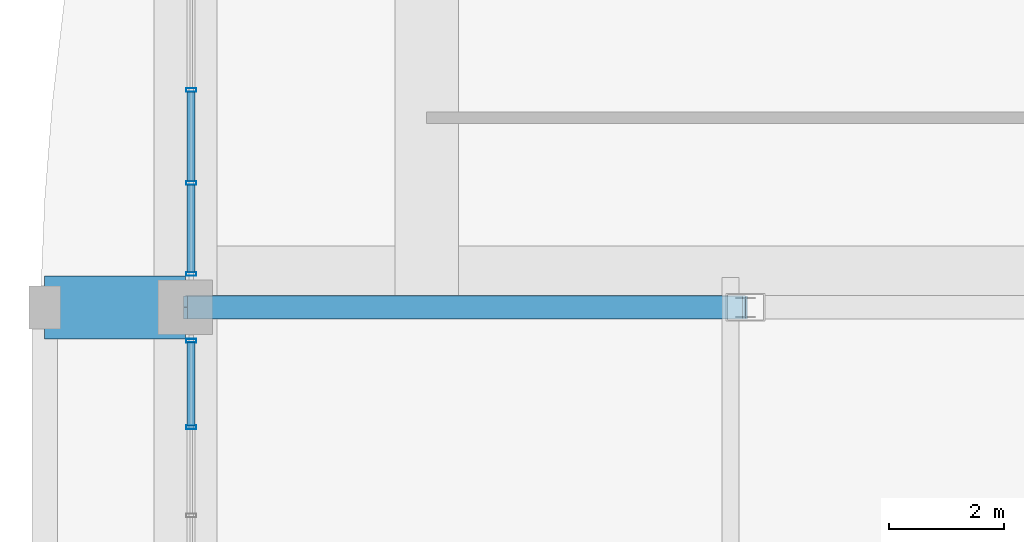
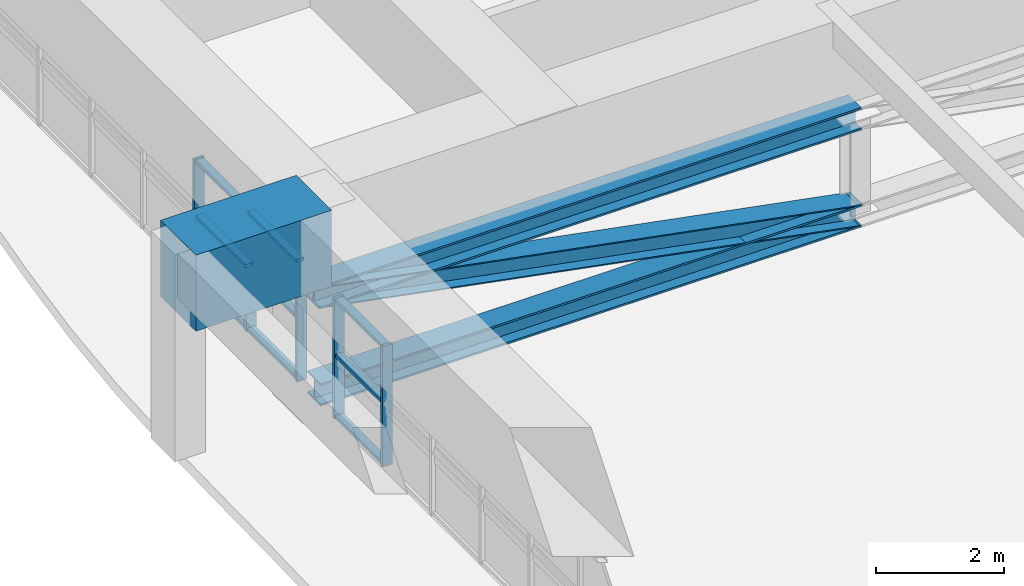
# One storey, part 19 of 35: 17 members, 1 beam, 2 elements without a shape of their own.
"""IFC4 building model written with IfcOpenShell, lengths in metres."""

from ifc_helpers import new_model, si_unit, direction, frame, origin, origin_2d, place, context, subcontext, project, spatial, rectangle, hollow_rectangle, i_section, extrude, source, transform, mapped, material, layer, layer_set, material_profile, profile_set, type_object, element, aggregate, save


model = new_model("IFC4")

# Units and contexts
model_context = context("Model", 3, precision=1e-05, world=origin(), true_north=direction((0.0, 1.0)))
body_context = subcontext(model_context, "Body", "Model", "MODEL_VIEW")
ifc_project = project(units=[si_unit("LENGTHUNIT", "METRE"), si_unit("AREAUNIT", "SQUARE_METRE"), si_unit("VOLUMEUNIT", "CUBIC_METRE"), si_unit("PLANEANGLEUNIT", "RADIAN"), si_unit("MASSUNIT", "GRAM", prefix="KILO")], contexts=[model_context])

# Site, building, storey
site_placement = place(None, origin())
site = spatial("IfcSite", under=ifc_project, at=site_placement, CompositionType="ELEMENT")
building_placement = place(site_placement, origin())
building = spatial("IfcBuilding", under=site, at=building_placement, Name="Saelheon Loggia Tower", CompositionType="ELEMENT")
storey_placement = place(building_placement, frame((0.0, 0.0, 144.75)))
storey = spatial("IfcBuildingStorey", under=building, at=storey_placement, Name="L46", CompositionType="ELEMENT", Elevation=144.75)

# Beam
ifc_material_1 = material(Name="Concrete C50/60", Category="concrete")
ifc_material_profile_1 = material_profile(ifc_material_1, rectangle(XDim=1.10009765625, YDim=1.449951171875, at=origin_2d()), Name="RC-1100x1450")
ifc_profile_set_1 = profile_set([ifc_material_profile_1], Name="Concrete C50/60")
beam_type = type_object("IfcBeamType", Name="Beam_PerimTransfer_RC1100x1450", PredefinedType="BEAM", material=ifc_profile_set_1)
shared_shape_1 = source(origin(), body_context, "Body", "SweptSolid", [
    extrude(rectangle(XDim=1.10009765625, YDim=1.449951171875, at=origin_2d()), origin(), (0.0, 0.0, 1.0), 2.449951171875),
])
beam_placement = place(storey_placement, frame((12.0, 36.0, 3.22509765625), z_axis=(-1.0, 0.0, 0.0), x_axis=(0.0, -1.0, 0.0)))
element("IfcBeam", 1, at=beam_placement, inside=storey, type_object=beam_type, Name="L46 Loggia Frame Tie Beam LP-W2", PredefinedType="BEAM", context=body_context, shape_type="MappedRepresentation", body=[
    mapped(shared_shape_1, transform((0.0, 0.0, 0.0), scale=1.0)),
])

# Members
ifc_material_2 = material(Name="Steel SM355", Category="steel")
ifc_material_profile_2 = material_profile(ifc_material_2, i_section(OverallWidth=0.406982421875, OverallDepth=0.427978515625, WebThickness=0.02001953125, FlangeThickness=0.034912109375, at=origin_2d()), Name="H-428x407x20x35")
ifc_profile_set_2 = profile_set([ifc_material_profile_2], Name="Steel SM355")
member_type_1 = type_object("IfcMemberType", Name="Outrigger_Chord_H428", PredefinedType="CHORD", material=ifc_profile_set_2)
shared_shape_2 = source(origin(), body_context, "Body", "SweptSolid", [
    extrude(i_section(OverallWidth=0.406982421875, OverallDepth=0.427978515625, WebThickness=0.02001953125, FlangeThickness=0.034912109375, at=origin_2d()), origin(), (0.0, 0.0, 1.0), 9.75),
])
for number, where, z_axis, x_axis, name in (
    (2, (21.75, 36.0, 0.219970703125), (-1.0, 0.0, 0.0), (0.0, -1.0, 0.0), "L46 Outrigger Bottom Chord NW-W 2"),
    (3, (21.75, 36.0, 2.070068359375), (-1.0, 0.0, 0.0), (0.0, -1.0, 0.0), "L46 Outrigger Top Chord NW-W 2"),
):
    element("IfcMember", number, at=place(storey_placement, frame(where, z_axis=z_axis, x_axis=x_axis)), inside=storey, type_object=member_type_1, Name=name, PredefinedType="CHORD", context=body_context, shape_type="MappedRepresentation", body=[
        mapped(shared_shape_2, transform((0.0, 0.0, 0.0), scale=1.0)),
    ])
ifc_material_profile_3 = material_profile(ifc_material_2, i_section(OverallWidth=0.39990234375, OverallDepth=0.39990234375, WebThickness=0.012939453125, FlangeThickness=0.02099609375, at=origin_2d()), Name="H-400x400x13x21")
ifc_profile_set_3 = profile_set([ifc_material_profile_3], Name="Steel SM355")
member_type_2 = type_object("IfcMemberType", Name="Outrigger_Brace_H400", PredefinedType="BRACE", material=ifc_profile_set_3)
shared_shape_3 = source(origin(), body_context, "Body", "SweptSolid", [
    extrude(i_section(OverallWidth=0.39990234375, OverallDepth=0.39990234375, WebThickness=0.012939453125, FlangeThickness=0.02099609375, at=origin_2d()), origin(), (0.0, 0.0, 1.0), 9.924072265625),
])
member_1_placement = place(storey_placement, frame((21.75, 36.0, 0.219970703125), z_axis=(-0.982468815564, 0.0, 0.186427000309), x_axis=(0.0, -1.0, 0.0)))
element("IfcMember", 4, at=member_1_placement, inside=storey, type_object=member_type_2, Name="L46 Outrigger Diagonal NW-W 2", PredefinedType="BRACE", context=body_context, shape_type="MappedRepresentation", body=[
    mapped(shared_shape_3, transform((0.0, 0.0, 0.0), scale=1.0)),
])

# Curtain wall, members
ifc_material_3 = material(Name="Anodised Aluminium Acoustic Louvre Curtain Wall", Category="aluminium")
ifc_layer = layer(ifc_material_3, 0.179931640625)
ifc_layer_set = layer_set([ifc_layer], Name="Anodised Aluminium Acoustic Louvre Curtain Wall")
curtain_wall_type = type_object("IfcCurtainWallType", Name="CW_RefugeAcoustic", PredefinedType="NOTDEFINED", material=ifc_layer_set)
curtain_wall_1_placement = place(storey_placement, origin())
curtain_wall_1 = element("IfcCurtainWall", 5, at=curtain_wall_1_placement, inside=storey, type_object=curtain_wall_type, Name="L46 W Refuge Acoustic Curtain Wall 2", PredefinedType="NOTDEFINED")
ifc_material_4 = material(Name="Anodised Aluminium 6063-T6", Category="aluminium")
ifc_material_profile_4 = material_profile(ifc_material_4, hollow_rectangle(XDim=0.06494140625, YDim=0.179931640625, WallThickness=0.00390625, at=origin_2d()), Name="RHS-180x65x4")
ifc_profile_set_4 = profile_set([ifc_material_profile_4], Name="Anodised Aluminium 6063-T6")
member_type_3 = type_object("IfcMemberType", Name="CW_RefugeAcoustic_Mullion", PredefinedType="MULLION", material=ifc_profile_set_4)
shared_shape_4 = source(origin(), body_context, "Body", "SweptSolid", [
    extrude(hollow_rectangle(XDim=0.06494140625, YDim=0.179931640625, WallThickness=0.00390625, at=origin_2d()), origin(), (0.0, 0.0, 1.0), 2.2900390625),
])
member_2_placement = place(storey_placement, frame((12.10009765625, 33.91357421875, 0.0), z_axis=(0.0, 0.0, 1.0), x_axis=(0.0, 1.0, 0.0)))
member_2 = element("IfcMember", 6, at=member_2_placement, type_object=member_type_3, Name="CW5 mullion 11", PredefinedType="MULLION", context=body_context, shape_type="MappedRepresentation", body=[
    mapped(shared_shape_4, transform((0.0, 0.0, 0.0), scale=1.0)),
])
member_3_placement = place(storey_placement, frame((12.10009765625, 35.41748046875, 0.0), z_axis=(0.0, 0.0, 1.0), x_axis=(0.0, 1.0, 0.0)))
member_3 = element("IfcMember", 7, at=member_3_placement, type_object=member_type_3, Name="CW5 mullion 12", PredefinedType="MULLION", context=body_context, shape_type="MappedRepresentation", body=[
    mapped(shared_shape_4, transform((0.0, 0.0, 0.0), scale=1.0)),
])

curtain_wall_2_placement = place(storey_placement, origin())
curtain_wall_2 = element("IfcCurtainWall", 8, at=curtain_wall_2_placement, inside=storey, type_object=curtain_wall_type, Name="L46 W Refuge Acoustic Curtain Wall 3", PredefinedType="NOTDEFINED")
member_4_placement = place(storey_placement, frame((12.10009765625, 36.58251953125, 0.0), z_axis=(0.0, 0.0, 1.0), x_axis=(0.0, 1.0, 0.0)))
member_4 = element("IfcMember", 9, at=member_4_placement, type_object=member_type_3, Name="CW5 mullion 1", PredefinedType="MULLION", context=body_context, shape_type="MappedRepresentation", body=[
    mapped(shared_shape_4, transform((0.0, 0.0, 0.0), scale=1.0)),
])
member_5_placement = place(storey_placement, frame((12.10009765625, 38.166748046875, 0.0), z_axis=(0.0, 0.0, 1.0), x_axis=(0.0, 1.0, 0.0)))
member_5 = element("IfcMember", 10, at=member_5_placement, type_object=member_type_3, Name="CW5 mullion 2", PredefinedType="MULLION", context=body_context, shape_type="MappedRepresentation", body=[
    mapped(shared_shape_4, transform((0.0, 0.0, 0.0), scale=1.0)),
])
member_6_placement = place(storey_placement, frame((12.10009765625, 39.783447265625, 0.0), z_axis=(0.0, 0.0, 1.0), x_axis=(0.0, 1.0, 0.0)))
member_6 = element("IfcMember", 11, at=member_6_placement, type_object=member_type_3, Name="CW5 mullion 3", PredefinedType="MULLION", context=body_context, shape_type="MappedRepresentation", body=[
    mapped(shared_shape_4, transform((0.0, 0.0, 0.0), scale=1.0)),
])

# Member
ifc_material_profile_5 = material_profile(ifc_material_4, hollow_rectangle(XDim=0.06494140625, YDim=0.139892578125, WallThickness=0.00390625, at=origin_2d()), Name="RHS-140x65x4")
ifc_profile_set_5 = profile_set([ifc_material_profile_5], Name="Anodised Aluminium 6063-T6")
member_type_4 = type_object("IfcMemberType", Name="CW_RefugeAcoustic_Transom", PredefinedType="USERDEFINED", material=ifc_profile_set_5)
shared_shape_5 = source(origin(), body_context, "Body", "SweptSolid", [
    extrude(hollow_rectangle(XDim=0.06494140625, YDim=0.139892578125, WallThickness=0.00390625, at=origin_2d()), origin(), (0.0, 0.0, 1.0), 1.43896484375),
])
member_7_placement = place(storey_placement, frame((12.10009765625, 33.946044921875, 0.032470703125), z_axis=(0.0, 1.0, 0.0), x_axis=(0.0, 0.0, 1.0)))
member_7 = element("IfcMember", 12, at=member_7_placement, type_object=member_type_4, Name="CW5 transom 11.1", ObjectType="TRANSOM", PredefinedType="USERDEFINED", context=body_context, shape_type="MappedRepresentation", body=[
    mapped(shared_shape_5, transform((0.0, 0.0, 0.0), scale=1.0)),
])

member_8_placement = place(storey_placement, frame((12.10009765625, 33.946044921875, 1.199951171875), z_axis=(0.0, 1.0, 0.0), x_axis=(0.0, 0.0, 1.0)))
member_8 = element("IfcMember", 13, at=member_8_placement, type_object=member_type_4, Name="CW5 transom 11.2", ObjectType="TRANSOM", PredefinedType="USERDEFINED", context=body_context, shape_type="MappedRepresentation", body=[
    mapped(shared_shape_5, transform((0.0, 0.0, 0.0), scale=1.0)),
])

member_9_placement = place(storey_placement, frame((12.10009765625, 33.946044921875, 2.257568359375), z_axis=(0.0, 1.0, 0.0), x_axis=(0.0, 0.0, 1.0)))
member_9 = element("IfcMember", 14, at=member_9_placement, type_object=member_type_4, Name="CW5 transom 11.3", ObjectType="TRANSOM", PredefinedType="USERDEFINED", context=body_context, shape_type="MappedRepresentation", body=[
    mapped(shared_shape_5, transform((0.0, 0.0, 0.0), scale=1.0)),
])

aggregate(curtain_wall_1, [member_2, member_3, member_7, member_8, member_9])

shared_shape_6 = source(origin(), body_context, "Body", "SweptSolid", [
    extrude(hollow_rectangle(XDim=0.06494140625, YDim=0.139892578125, WallThickness=0.00390625, at=origin_2d()), origin(), (0.0, 0.0, 1.0), 1.519287109375),
])
member_10_placement = place(storey_placement, frame((12.10009765625, 36.614990234375, 0.032470703125), z_axis=(0.0, 1.0, 0.0), x_axis=(0.0, 0.0, 1.0)))
member_10 = element("IfcMember", 15, at=member_10_placement, type_object=member_type_4, Name="CW5 transom 1.1", ObjectType="TRANSOM", PredefinedType="USERDEFINED", context=body_context, shape_type="MappedRepresentation", body=[
    mapped(shared_shape_6, transform((0.0, 0.0, 0.0), scale=1.0)),
])

member_11_placement = place(storey_placement, frame((12.10009765625, 36.614990234375, 1.199951171875), z_axis=(0.0, 1.0, 0.0), x_axis=(0.0, 0.0, 1.0)))
member_11 = element("IfcMember", 16, at=member_11_placement, type_object=member_type_4, Name="CW5 transom 1.2", ObjectType="TRANSOM", PredefinedType="USERDEFINED", context=body_context, shape_type="MappedRepresentation", body=[
    mapped(shared_shape_6, transform((0.0, 0.0, 0.0), scale=1.0)),
])

member_12_placement = place(storey_placement, frame((12.10009765625, 36.614990234375, 2.257568359375), z_axis=(0.0, 1.0, 0.0), x_axis=(0.0, 0.0, 1.0)))
member_12 = element("IfcMember", 17, at=member_12_placement, type_object=member_type_4, Name="CW5 transom 1.3", ObjectType="TRANSOM", PredefinedType="USERDEFINED", context=body_context, shape_type="MappedRepresentation", body=[
    mapped(shared_shape_6, transform((0.0, 0.0, 0.0), scale=1.0)),
])

shared_shape_7 = source(origin(), body_context, "Body", "SweptSolid", [
    extrude(hollow_rectangle(XDim=0.06494140625, YDim=0.139892578125, WallThickness=0.00390625, at=origin_2d()), origin(), (0.0, 0.0, 1.0), 1.551513671875),
])
member_13_placement = place(storey_placement, frame((12.10009765625, 38.19921875, 0.032470703125), z_axis=(0.0, 1.0, 0.0), x_axis=(0.0, 0.0, 1.0)))
member_13 = element("IfcMember", 18, at=member_13_placement, type_object=member_type_4, Name="CW5 transom 2.1", ObjectType="TRANSOM", PredefinedType="USERDEFINED", context=body_context, shape_type="MappedRepresentation", body=[
    mapped(shared_shape_7, transform((0.0, 0.0, 0.0), scale=1.0)),
])

member_14_placement = place(storey_placement, frame((12.10009765625, 38.19921875, 1.199951171875), z_axis=(0.0, 1.0, 0.0), x_axis=(0.0, 0.0, 1.0)))
member_14 = element("IfcMember", 19, at=member_14_placement, type_object=member_type_4, Name="CW5 transom 2.2", ObjectType="TRANSOM", PredefinedType="USERDEFINED", context=body_context, shape_type="MappedRepresentation", body=[
    mapped(shared_shape_7, transform((0.0, 0.0, 0.0), scale=1.0)),
])

member_15_placement = place(storey_placement, frame((12.10009765625, 38.19921875, 2.257568359375), z_axis=(0.0, 1.0, 0.0), x_axis=(0.0, 0.0, 1.0)))
member_15 = element("IfcMember", 20, at=member_15_placement, type_object=member_type_4, Name="CW5 transom 2.3", ObjectType="TRANSOM", PredefinedType="USERDEFINED", context=body_context, shape_type="MappedRepresentation", body=[
    mapped(shared_shape_7, transform((0.0, 0.0, 0.0), scale=1.0)),
])

aggregate(curtain_wall_2, [member_4, member_5, member_6, member_10, member_11, member_12, member_13, member_14, member_15])

save(model, "model.ifc")
